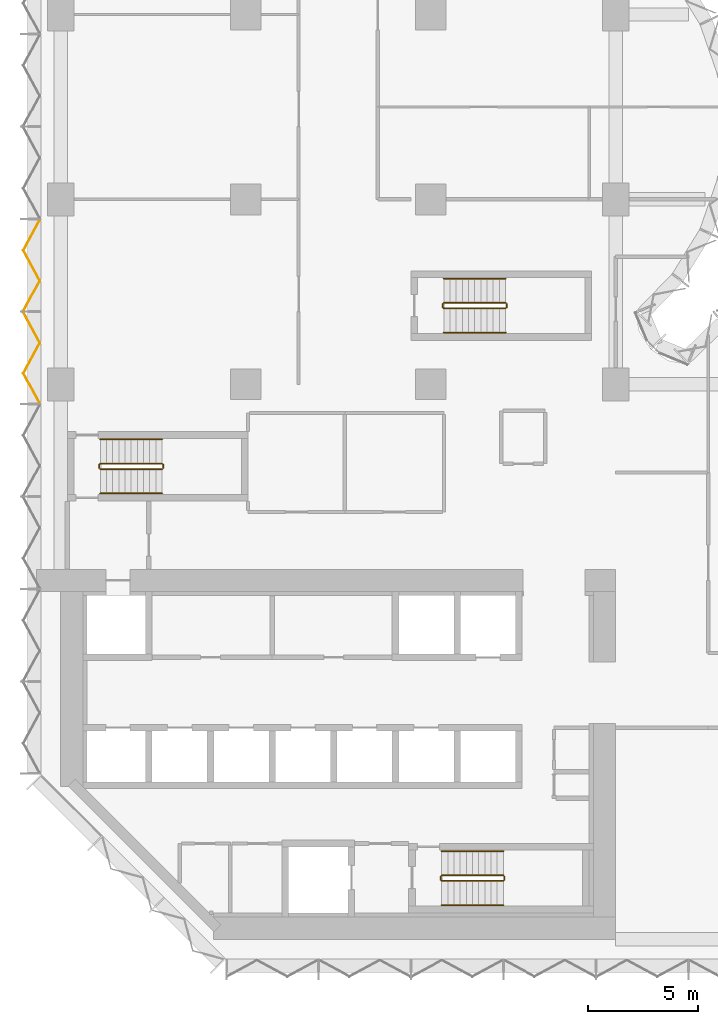
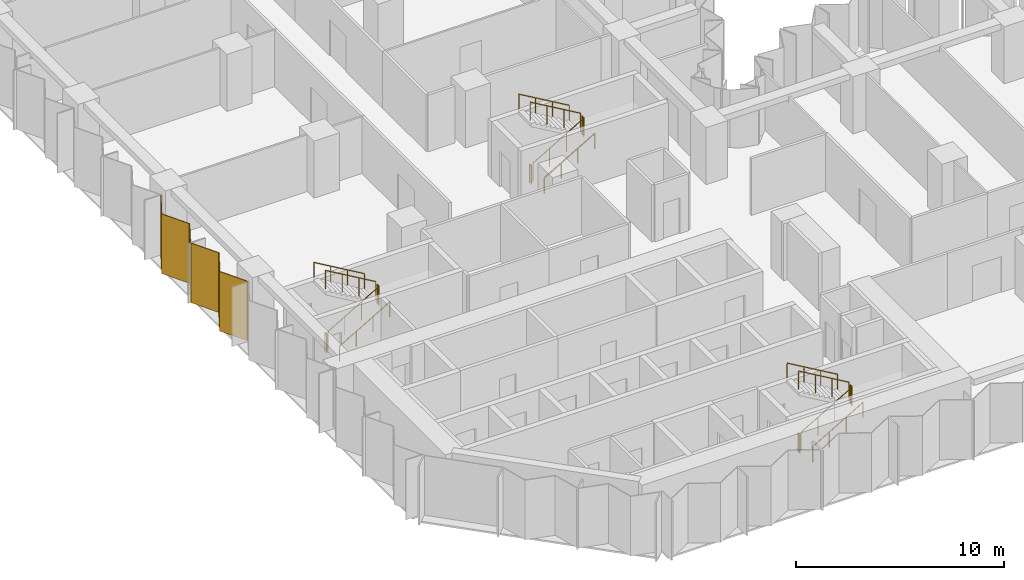
# One storey, part 13 of 15: 18 railings, 2 coverings, 1 element without a shape of its own.
"""IFC4 building model written with IfcOpenShell, lengths in metres."""

from ifc_helpers import new_model, si_unit, direction, frame, origin, origin_2d, place, context, subcontext, project, spatial, polyline, circle, outline, extrude, material, layer, layer_set, type_object, element, aggregate, save


model = new_model("IFC4")

# Units and contexts
model_context = context("Model", 3, precision=1e-05, world=origin(), true_north=direction((0.0, 1.0)))
body_context = subcontext(model_context, "Body", "Model", "MODEL_VIEW")
ifc_project = project(units=[si_unit("LENGTHUNIT", "METRE"), si_unit("AREAUNIT", "SQUARE_METRE"), si_unit("VOLUMEUNIT", "CUBIC_METRE"), si_unit("PLANEANGLEUNIT", "RADIAN"), si_unit("MASSUNIT", "GRAM", prefix="KILO")], contexts=[model_context])

# Site, building, storey
site_placement = place(None, origin())
site = spatial("IfcSite", under=ifc_project, at=site_placement, CompositionType="ELEMENT")
building_placement = place(site_placement, origin())
building = spatial("IfcBuilding", under=site, at=building_placement, Name="Brevane Broadcast Tower", CompositionType="ELEMENT")
storey_placement = place(building_placement, frame((0.0, 0.0, 72.5)))
storey = spatial("IfcBuildingStorey", under=building, at=storey_placement, Name="L16", CompositionType="ELEMENT", Elevation=72.5)

# Railings
ifc_material_1 = material(Name="Steel S355", Category="steel")
railing_type_1 = type_object("IfcRailingType", Name="Exit stair guard", PredefinedType="GUARDRAIL", material=ifc_material_1)
railing_1_placement = place(storey_placement, frame((1.800048828125, 21.35009765625, 0.16357421875)))
element("IfcRailing", 1, at=railing_1_placement, inside=storey, type_object=railing_type_1, Name="L16 ST-1 stair guard 1", PredefinedType="GUARDRAIL", context=body_context, shape_type="SweptSolid", body=[
    extrude(circle(Radius=0.02392578125, at=origin_2d()), frame((0.0, 0.0, 1.076171875), z_axis=(0.863360870873, 0.0, 0.504586966384), x_axis=(0.0, 1.0, 0.0)), (0.0, 0.0, 1.0), 3.2431640625),
    extrude(circle(Radius=0.02099609375, at=origin_2d()), origin(), (0.0, 0.0, 1.0), 1.052001953125),
    extrude(circle(Radius=0.02099609375, at=origin_2d()), frame((0.933349609375, 0.0, 0.54541015625)), (0.0, 0.0, 1.0), 1.052001953125),
    extrude(circle(Radius=0.02099609375, at=origin_2d()), frame((1.86669921875, 0.0, 1.091064453125)), (0.0, 0.0, 1.0), 1.052001953125),
    extrude(circle(Radius=0.02099609375, at=origin_2d()), frame((2.800048828125, 0.0, 1.636474609375)), (0.0, 0.0, 1.0), 1.052001953125),
])
railing_2_placement = place(storey_placement, frame((4.64990234375, 21.39990234375, 1.800048828125)))
element("IfcRailing", 2, at=railing_2_placement, inside=storey, type_object=railing_type_1, Name="L16 ST-1 stair guard 2", PredefinedType="GUARDRAIL", context=body_context, shape_type="SweptSolid", body=[
    extrude(circle(Radius=0.02392578125, at=origin_2d()), frame((0.0, 0.0, 1.076171875), z_axis=(0.0, 1.0, 0.0), x_axis=(-1.0, 0.0, 0.0)), (0.0, 0.0, 1.0), 0.150146484375),
    extrude(circle(Radius=0.02099609375, at=origin_2d()), origin(), (0.0, 0.0, 1.0), 1.052001953125),
    extrude(circle(Radius=0.02099609375, at=origin_2d()), frame((0.0, 0.150146484375, 0.0)), (0.0, 0.0, 1.0), 1.052001953125),
])
railing_3_placement = place(storey_placement, frame((4.60009765625, 21.60009765625, 1.963623046875)))
element("IfcRailing", 3, at=railing_3_placement, inside=storey, type_object=railing_type_1, Name="L16 ST-1 stair guard 3", PredefinedType="GUARDRAIL", context=body_context, shape_type="SweptSolid", body=[
    extrude(circle(Radius=0.02392578125, at=origin_2d()), frame((0.0, 0.0, 1.076171875), z_axis=(-0.863360870873, 0.0, 0.504586966384), x_axis=(0.0, -1.0, 0.0)), (0.0, 0.0, 1.0), 3.2431640625),
    extrude(circle(Radius=0.02099609375, at=origin_2d()), origin(), (0.0, 0.0, 1.0), 1.052001953125),
    extrude(circle(Radius=0.02099609375, at=origin_2d()), frame((-0.933349609375, 0.0, 0.54541015625)), (0.0, 0.0, 1.0), 1.052001953125),
    extrude(circle(Radius=0.02099609375, at=origin_2d()), frame((-1.86669921875, 0.0, 1.091064453125)), (0.0, 0.0, 1.0), 1.052001953125),
    extrude(circle(Radius=0.02099609375, at=origin_2d()), frame((-2.800048828125, 0.0, 1.636474609375)), (0.0, 0.0, 1.0), 1.052001953125),
])
railing_4_placement = place(storey_placement, frame((1.75, 21.39990234375, 0.0)))
element("IfcRailing", 4, at=railing_4_placement, inside=storey, type_object=railing_type_1, Name="L16 ST-1 stair guard 4", PredefinedType="GUARDRAIL", context=body_context, shape_type="SweptSolid", body=[
    extrude(circle(Radius=0.02392578125, at=origin_2d()), frame((0.0, 0.0, 1.076171875), z_axis=(0.0, 1.0, 0.0), x_axis=(-1.0, 0.0, 0.0)), (0.0, 0.0, 1.0), 0.150146484375),
    extrude(circle(Radius=0.02099609375, at=origin_2d()), origin(), (0.0, 0.0, 1.0), 1.052001953125),
    extrude(circle(Radius=0.02099609375, at=origin_2d()), frame((0.0, 0.150146484375, 0.0)), (0.0, 0.0, 1.0), 1.052001953125),
])
railing_5_placement = place(storey_placement, frame((17.300048828125, 2.64990234375, 0.16357421875)))
element("IfcRailing", 5, at=railing_5_placement, inside=storey, type_object=railing_type_1, Name="L16 ST-2 stair guard 1", PredefinedType="GUARDRAIL", context=body_context, shape_type="SweptSolid", body=[
    extrude(circle(Radius=0.02392578125, at=origin_2d()), frame((0.0, 0.0, 1.076171875), z_axis=(0.863360870873, 0.0, 0.504586966384), x_axis=(0.0, 1.0, 0.0)), (0.0, 0.0, 1.0), 3.2431640625),
    extrude(circle(Radius=0.02099609375, at=origin_2d()), origin(), (0.0, 0.0, 1.0), 1.052001953125),
    extrude(circle(Radius=0.02099609375, at=origin_2d()), frame((0.933349609375, 0.0, 0.54541015625)), (0.0, 0.0, 1.0), 1.052001953125),
    extrude(circle(Radius=0.02099609375, at=origin_2d()), frame((1.86669921875, 0.0, 1.091064453125)), (0.0, 0.0, 1.0), 1.052001953125),
    extrude(circle(Radius=0.02099609375, at=origin_2d()), frame((2.800048828125, 0.0, 1.636474609375)), (0.0, 0.0, 1.0), 1.052001953125),
])
railing_6_placement = place(storey_placement, frame((20.14990234375, 2.699951171875, 1.800048828125)))
element("IfcRailing", 6, at=railing_6_placement, inside=storey, type_object=railing_type_1, Name="L16 ST-2 stair guard 2", PredefinedType="GUARDRAIL", context=body_context, shape_type="SweptSolid", body=[
    extrude(circle(Radius=0.02392578125, at=origin_2d()), frame((0.0, 0.0, 1.076171875), z_axis=(0.0, 1.0, 0.0), x_axis=(-1.0, 0.0, 0.0)), (0.0, 0.0, 1.0), 0.150146484375),
    extrude(circle(Radius=0.02099609375, at=origin_2d()), origin(), (0.0, 0.0, 1.0), 1.052001953125),
    extrude(circle(Radius=0.02099609375, at=origin_2d()), frame((0.0, 0.150146484375, 0.0)), (0.0, 0.0, 1.0), 1.052001953125),
])
railing_7_placement = place(storey_placement, frame((20.10009765625, 2.89990234375, 1.963623046875)))
element("IfcRailing", 7, at=railing_7_placement, inside=storey, type_object=railing_type_1, Name="L16 ST-2 stair guard 3", PredefinedType="GUARDRAIL", context=body_context, shape_type="SweptSolid", body=[
    extrude(circle(Radius=0.02392578125, at=origin_2d()), frame((0.0, 0.0, 1.076171875), z_axis=(-0.863360870873, 0.0, 0.504586966384), x_axis=(0.0, -1.0, 0.0)), (0.0, 0.0, 1.0), 3.2431640625),
    extrude(circle(Radius=0.02099609375, at=origin_2d()), origin(), (0.0, 0.0, 1.0), 1.052001953125),
    extrude(circle(Radius=0.02099609375, at=origin_2d()), frame((-0.933349609375, 0.0, 0.54541015625)), (0.0, 0.0, 1.0), 1.052001953125),
    extrude(circle(Radius=0.02099609375, at=origin_2d()), frame((-1.86669921875, 0.0, 1.091064453125)), (0.0, 0.0, 1.0), 1.052001953125),
    extrude(circle(Radius=0.02099609375, at=origin_2d()), frame((-2.800048828125, 0.0, 1.636474609375)), (0.0, 0.0, 1.0), 1.052001953125),
])
railing_8_placement = place(storey_placement, frame((17.25, 2.699951171875, 0.0)))
element("IfcRailing", 8, at=railing_8_placement, inside=storey, type_object=railing_type_1, Name="L16 ST-2 stair guard 4", PredefinedType="GUARDRAIL", context=body_context, shape_type="SweptSolid", body=[
    extrude(circle(Radius=0.02392578125, at=origin_2d()), frame((0.0, 0.0, 1.076171875), z_axis=(0.0, 1.0, 0.0), x_axis=(-1.0, 0.0, 0.0)), (0.0, 0.0, 1.0), 0.150146484375),
    extrude(circle(Radius=0.02099609375, at=origin_2d()), origin(), (0.0, 0.0, 1.0), 1.052001953125),
    extrude(circle(Radius=0.02099609375, at=origin_2d()), frame((0.0, 0.150146484375, 0.0)), (0.0, 0.0, 1.0), 1.052001953125),
])
railing_9_placement = place(storey_placement, frame((17.39990234375, 28.64990234375, 0.16357421875)))
element("IfcRailing", 9, at=railing_9_placement, inside=storey, type_object=railing_type_1, Name="L16 ST-3 stair guard 1", PredefinedType="GUARDRAIL", context=body_context, shape_type="SweptSolid", body=[
    extrude(circle(Radius=0.02392578125, at=origin_2d()), frame((0.0, 0.0, 1.076171875), z_axis=(0.863360870873, 0.0, 0.504586966384), x_axis=(0.0, 1.0, 0.0)), (0.0, 0.0, 1.0), 3.2431640625),
    extrude(circle(Radius=0.02099609375, at=origin_2d()), origin(), (0.0, 0.0, 1.0), 1.052001953125),
    extrude(circle(Radius=0.02099609375, at=origin_2d()), frame((0.933349609375, 0.0, 0.54541015625)), (0.0, 0.0, 1.0), 1.052001953125),
    extrude(circle(Radius=0.02099609375, at=origin_2d()), frame((1.86669921875, 0.0, 1.091064453125)), (0.0, 0.0, 1.0), 1.052001953125),
    extrude(circle(Radius=0.02099609375, at=origin_2d()), frame((2.800048828125, 0.0, 1.636474609375)), (0.0, 0.0, 1.0), 1.052001953125),
])
railing_10_placement = place(storey_placement, frame((20.25, 28.699951171875, 1.800048828125)))
element("IfcRailing", 10, at=railing_10_placement, inside=storey, type_object=railing_type_1, Name="L16 ST-3 stair guard 2", PredefinedType="GUARDRAIL", context=body_context, shape_type="SweptSolid", body=[
    extrude(circle(Radius=0.02392578125, at=origin_2d()), frame((0.0, 0.0, 1.076171875), z_axis=(0.0, 1.0, 0.0), x_axis=(-1.0, 0.0, 0.0)), (0.0, 0.0, 1.0), 0.150146484375),
    extrude(circle(Radius=0.02099609375, at=origin_2d()), origin(), (0.0, 0.0, 1.0), 1.052001953125),
    extrude(circle(Radius=0.02099609375, at=origin_2d()), frame((0.0, 0.150146484375, 0.0)), (0.0, 0.0, 1.0), 1.052001953125),
])
railing_11_placement = place(storey_placement, frame((20.199951171875, 28.89990234375, 1.963623046875)))
element("IfcRailing", 11, at=railing_11_placement, inside=storey, type_object=railing_type_1, Name="L16 ST-3 stair guard 3", PredefinedType="GUARDRAIL", context=body_context, shape_type="SweptSolid", body=[
    extrude(circle(Radius=0.02392578125, at=origin_2d()), frame((0.0, 0.0, 1.076171875), z_axis=(-0.863360870873, 0.0, 0.504586966384), x_axis=(0.0, -1.0, 0.0)), (0.0, 0.0, 1.0), 3.2431640625),
    extrude(circle(Radius=0.02099609375, at=origin_2d()), origin(), (0.0, 0.0, 1.0), 1.052001953125),
    extrude(circle(Radius=0.02099609375, at=origin_2d()), frame((-0.933349609375, 0.0, 0.54541015625)), (0.0, 0.0, 1.0), 1.052001953125),
    extrude(circle(Radius=0.02099609375, at=origin_2d()), frame((-1.86669921875, 0.0, 1.091064453125)), (0.0, 0.0, 1.0), 1.052001953125),
    extrude(circle(Radius=0.02099609375, at=origin_2d()), frame((-2.800048828125, 0.0, 1.636474609375)), (0.0, 0.0, 1.0), 1.052001953125),
])
railing_12_placement = place(storey_placement, frame((17.35009765625, 28.699951171875, 0.0)))
element("IfcRailing", 12, at=railing_12_placement, inside=storey, type_object=railing_type_1, Name="L16 ST-3 stair guard 4", PredefinedType="GUARDRAIL", context=body_context, shape_type="SweptSolid", body=[
    extrude(circle(Radius=0.02392578125, at=origin_2d()), frame((0.0, 0.0, 1.076171875), z_axis=(0.0, 1.0, 0.0), x_axis=(-1.0, 0.0, 0.0)), (0.0, 0.0, 1.0), 0.150146484375),
    extrude(circle(Radius=0.02099609375, at=origin_2d()), origin(), (0.0, 0.0, 1.0), 1.052001953125),
    extrude(circle(Radius=0.02099609375, at=origin_2d()), frame((0.0, 0.150146484375, 0.0)), (0.0, 0.0, 1.0), 1.052001953125),
])
railing_type_2 = type_object("IfcRailingType", Name="Exit stair handrail", PredefinedType="HANDRAIL", material=ifc_material_1)
railing_13_placement = place(storey_placement, frame((1.800048828125, 20.25, 0.16357421875)))
element("IfcRailing", 13, at=railing_13_placement, inside=storey, type_object=railing_type_2, Name="L16 ST-1 stair handrail 1", PredefinedType="HANDRAIL", context=body_context, shape_type="SweptSolid", body=[
    extrude(circle(Radius=0.02392578125, at=origin_2d()), frame((0.0, 0.0, 0.8759765625), z_axis=(0.863360870873, 0.0, 0.504586966384), x_axis=(0.0, 1.0, 0.0)), (0.0, 0.0, 1.0), 3.2431640625),
    extrude(circle(Radius=0.02099609375, at=origin_2d()), origin(), (0.0, 0.0, 1.0), 0.851806640625),
    extrude(circle(Radius=0.02099609375, at=origin_2d()), frame((0.933349609375, 0.0, 0.54541015625)), (0.0, 0.0, 1.0), 0.851806640625),
    extrude(circle(Radius=0.02099609375, at=origin_2d()), frame((1.86669921875, 0.0, 1.091064453125)), (0.0, 0.0, 1.0), 0.851806640625),
    extrude(circle(Radius=0.02099609375, at=origin_2d()), frame((2.800048828125, 0.0, 1.636474609375)), (0.0, 0.0, 1.0), 0.851806640625),
])
railing_14_placement = place(storey_placement, frame((4.60009765625, 22.699951171875, 1.963623046875)))
element("IfcRailing", 14, at=railing_14_placement, inside=storey, type_object=railing_type_2, Name="L16 ST-1 stair handrail 2", PredefinedType="HANDRAIL", context=body_context, shape_type="SweptSolid", body=[
    extrude(circle(Radius=0.02392578125, at=origin_2d()), frame((0.0, 0.0, 0.8759765625), z_axis=(-0.863360870873, 0.0, 0.504586966384), x_axis=(0.0, -1.0, 0.0)), (0.0, 0.0, 1.0), 3.2431640625),
    extrude(circle(Radius=0.02099609375, at=origin_2d()), origin(), (0.0, 0.0, 1.0), 0.851806640625),
    extrude(circle(Radius=0.02099609375, at=origin_2d()), frame((-0.933349609375, 0.0, 0.54541015625)), (0.0, 0.0, 1.0), 0.851806640625),
    extrude(circle(Radius=0.02099609375, at=origin_2d()), frame((-1.86669921875, 0.0, 1.091064453125)), (0.0, 0.0, 1.0), 0.851806640625),
    extrude(circle(Radius=0.02099609375, at=origin_2d()), frame((-2.800048828125, 0.0, 1.636474609375)), (0.0, 0.0, 1.0), 0.851806640625),
])
railing_15_placement = place(storey_placement, frame((17.300048828125, 1.550048828125, 0.16357421875)))
element("IfcRailing", 15, at=railing_15_placement, inside=storey, type_object=railing_type_2, Name="L16 ST-2 stair handrail 1", PredefinedType="HANDRAIL", context=body_context, shape_type="SweptSolid", body=[
    extrude(circle(Radius=0.02392578125, at=origin_2d()), frame((0.0, 0.0, 0.8759765625), z_axis=(0.863360870873, 0.0, 0.504586966384), x_axis=(0.0, 1.0, 0.0)), (0.0, 0.0, 1.0), 3.2431640625),
    extrude(circle(Radius=0.02099609375, at=origin_2d()), origin(), (0.0, 0.0, 1.0), 0.851806640625),
    extrude(circle(Radius=0.02099609375, at=origin_2d()), frame((0.933349609375, 0.0, 0.54541015625)), (0.0, 0.0, 1.0), 0.851806640625),
    extrude(circle(Radius=0.02099609375, at=origin_2d()), frame((1.86669921875, 0.0, 1.091064453125)), (0.0, 0.0, 1.0), 0.851806640625),
    extrude(circle(Radius=0.02099609375, at=origin_2d()), frame((2.800048828125, 0.0, 1.636474609375)), (0.0, 0.0, 1.0), 0.851806640625),
])
railing_16_placement = place(storey_placement, frame((20.10009765625, 4.0, 1.963623046875)))
element("IfcRailing", 16, at=railing_16_placement, inside=storey, type_object=railing_type_2, Name="L16 ST-2 stair handrail 2", PredefinedType="HANDRAIL", context=body_context, shape_type="SweptSolid", body=[
    extrude(circle(Radius=0.02392578125, at=origin_2d()), frame((0.0, 0.0, 0.8759765625), z_axis=(-0.863360870873, 0.0, 0.504586966384), x_axis=(0.0, -1.0, 0.0)), (0.0, 0.0, 1.0), 3.2431640625),
    extrude(circle(Radius=0.02099609375, at=origin_2d()), origin(), (0.0, 0.0, 1.0), 0.851806640625),
    extrude(circle(Radius=0.02099609375, at=origin_2d()), frame((-0.933349609375, 0.0, 0.54541015625)), (0.0, 0.0, 1.0), 0.851806640625),
    extrude(circle(Radius=0.02099609375, at=origin_2d()), frame((-1.86669921875, 0.0, 1.091064453125)), (0.0, 0.0, 1.0), 0.851806640625),
    extrude(circle(Radius=0.02099609375, at=origin_2d()), frame((-2.800048828125, 0.0, 1.636474609375)), (0.0, 0.0, 1.0), 0.851806640625),
])
railing_17_placement = place(storey_placement, frame((17.39990234375, 27.550048828125, 0.16357421875)))
element("IfcRailing", 17, at=railing_17_placement, inside=storey, type_object=railing_type_2, Name="L16 ST-3 stair handrail 1", PredefinedType="HANDRAIL", context=body_context, shape_type="SweptSolid", body=[
    extrude(circle(Radius=0.02392578125, at=origin_2d()), frame((0.0, 0.0, 0.8759765625), z_axis=(0.863360870873, 0.0, 0.504586966384), x_axis=(0.0, 1.0, 0.0)), (0.0, 0.0, 1.0), 3.2431640625),
    extrude(circle(Radius=0.02099609375, at=origin_2d()), origin(), (0.0, 0.0, 1.0), 0.851806640625),
    extrude(circle(Radius=0.02099609375, at=origin_2d()), frame((0.933349609375, 0.0, 0.54541015625)), (0.0, 0.0, 1.0), 0.851806640625),
    extrude(circle(Radius=0.02099609375, at=origin_2d()), frame((1.86669921875, 0.0, 1.091064453125)), (0.0, 0.0, 1.0), 0.851806640625),
    extrude(circle(Radius=0.02099609375, at=origin_2d()), frame((2.800048828125, 0.0, 1.636474609375)), (0.0, 0.0, 1.0), 0.851806640625),
])
railing_18_placement = place(storey_placement, frame((20.199951171875, 30.0, 1.963623046875)))
element("IfcRailing", 18, at=railing_18_placement, inside=storey, type_object=railing_type_2, Name="L16 ST-3 stair handrail 2", PredefinedType="HANDRAIL", context=body_context, shape_type="SweptSolid", body=[
    extrude(circle(Radius=0.02392578125, at=origin_2d()), frame((0.0, 0.0, 0.8759765625), z_axis=(-0.863360870873, 0.0, 0.504586966384), x_axis=(0.0, -1.0, 0.0)), (0.0, 0.0, 1.0), 3.2431640625),
    extrude(circle(Radius=0.02099609375, at=origin_2d()), origin(), (0.0, 0.0, 1.0), 0.851806640625),
    extrude(circle(Radius=0.02099609375, at=origin_2d()), frame((-0.933349609375, 0.0, 0.54541015625)), (0.0, 0.0, 1.0), 0.851806640625),
    extrude(circle(Radius=0.02099609375, at=origin_2d()), frame((-1.86669921875, 0.0, 1.091064453125)), (0.0, 0.0, 1.0), 0.851806640625),
    extrude(circle(Radius=0.02099609375, at=origin_2d()), frame((-2.800048828125, 0.0, 1.636474609375)), (0.0, 0.0, 1.0), 0.851806640625),
])

# Curtain wall, coverings
ifc_material_2 = material(Name="Aluminium 6063-T6 bronze anodised", Category="aluminium")
curtain_wall_type = type_object("IfcCurtainWallType", Name="CW-1 curtain wall", PredefinedType="NOTDEFINED", material=ifc_material_2)
curtain_wall_placement = place(storey_placement, origin())
curtain_wall = element("IfcCurtainWall", 19, at=curtain_wall_placement, inside=storey, type_object=curtain_wall_type, Name="CW-1 typical tilted unit L16 west face", PredefinedType="NOTDEFINED")
ifc_material_3 = material(Name="Back-painted bronze glass shadow-box", Category="glass")
ifc_layer = layer(ifc_material_3, 0.0400390625)
ifc_layer_set = layer_set([ifc_layer], Name="Shadow-box panel 40")
covering_type = type_object("IfcCoveringType", Name="Shadow-box panel 40", PredefinedType="CLADDING", material=ifc_layer_set)
covering_1_placement = place(storey_placement, frame((0.0, 0.0, -0.14990234375)))
covering_1 = element("IfcCovering", 20, at=covering_1_placement, type_object=covering_type, Name="Shadow-box panel", PredefinedType="CLADDING", context=body_context, shape_type="SweptSolid", body=[
    extrude(outline(polyline([(-0.92724609375, 32.6650390625), (-0.97265625, 32.6650390625), (-1.717041015625, 31.288330078125), (-0.97265625, 29.91162109375), (-1.717041015625, 28.534912109375), (-1.671630859375, 28.534912109375), (-0.92724609375, 29.91162109375), (-1.671630859375, 31.288330078125), (-0.92724609375, 32.6650390625)])), origin(), (0.0, 0.0, 1.0), 3.5),
])
covering_2_placement = place(storey_placement, frame((0.0, 0.0, -0.14990234375)))
covering_2 = element("IfcCovering", 21, at=covering_2_placement, type_object=covering_type, Name="Shadow-box panel", PredefinedType="CLADDING", context=body_context, shape_type="SweptSolid", body=[
    extrude(outline(polyline([(-1.671630859375, 28.465087890625), (-1.717041015625, 28.465087890625), (-0.97265625, 27.08837890625), (-1.717041015625, 25.711669921875), (-0.97265625, 24.3349609375), (-0.92724609375, 24.3349609375), (-1.671630859375, 25.711669921875), (-0.92724609375, 27.08837890625), (-1.671630859375, 28.465087890625)])), origin(), (0.0, 0.0, 1.0), 3.5),
])
aggregate(curtain_wall, [covering_1, covering_2])

save(model, "model.ifc")
